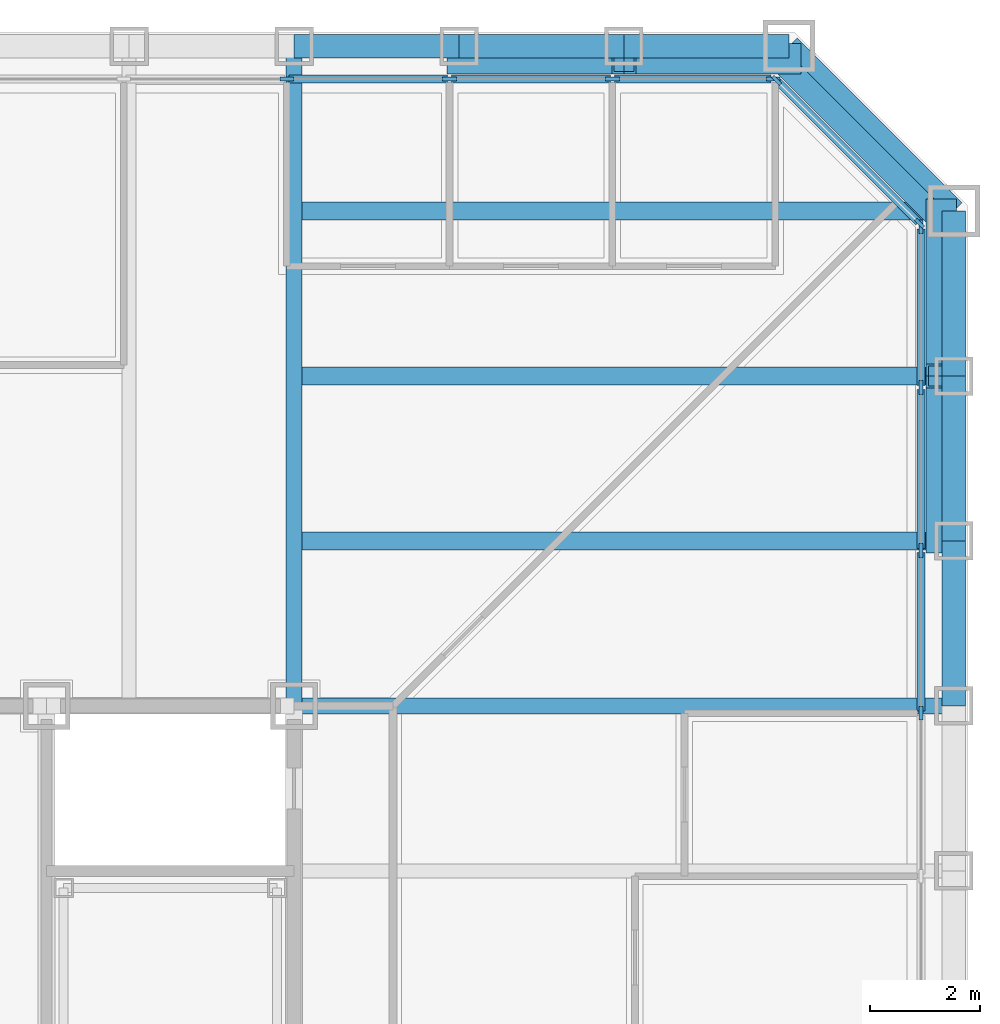
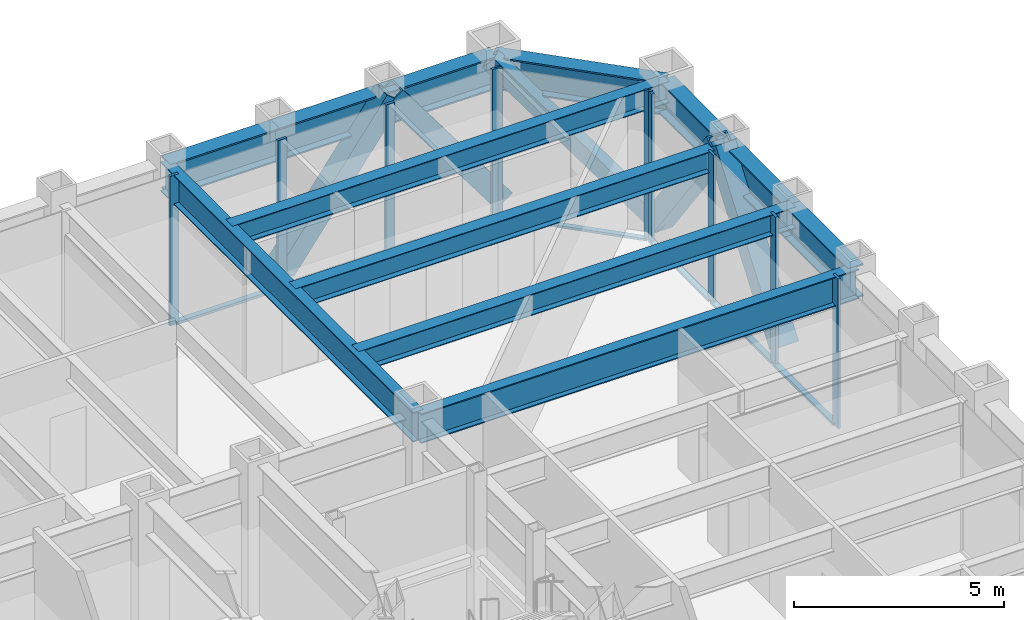
# One storey, part 6 of 17: 22 members, 12 beams, 3 elements without a shape of their own.
"""IFC4 building model written with IfcOpenShell, lengths in metres."""

from ifc_helpers import new_model, si_unit, direction, frame, origin, origin_2d, place, context, subcontext, project, spatial, rectangle, hollow_rectangle, i_section, extrude, material, layer, layer_set, material_profile, profile_set, type_object, element, aggregate, save


model = new_model("IFC4")

# Units and contexts
model_context = context("Model", 3, precision=1e-05, world=origin(), true_north=direction((0.0, 1.0)))
body_context = subcontext(model_context, "Body", "Model", "MODEL_VIEW")
ifc_project = project(units=[si_unit("LENGTHUNIT", "METRE"), si_unit("AREAUNIT", "SQUARE_METRE"), si_unit("VOLUMEUNIT", "CUBIC_METRE"), si_unit("PLANEANGLEUNIT", "RADIAN"), si_unit("MASSUNIT", "GRAM", prefix="KILO")], contexts=[model_context])

# Site, building, storey
site_placement = place(None, origin())
site = spatial("IfcSite", under=ifc_project, at=site_placement, CompositionType="ELEMENT")
building_placement = place(site_placement, origin())
building = spatial("IfcBuilding", under=site, at=building_placement, Name="Chuquiago Exchange Tower", CompositionType="ELEMENT")
storey_placement = place(building_placement, frame((0.0, 0.0, 64.800048828125)))
storey = spatial("IfcBuildingStorey", under=building, at=storey_placement, Name="L13", CompositionType="ELEMENT", Elevation=64.800048828125)

# Beams
ifc_material_1 = material(Name="Steel ASTM A992", Category="steel")
ifc_material_profile_1 = material_profile(ifc_material_1, i_section(OverallWidth=0.3251953125, OverallDepth=0.6171875, WebThickness=0.013916015625, FlangeThickness=0.021484375, at=origin_2d()), Name="W24X117")
ifc_profile_set_1 = profile_set([ifc_material_profile_1], Name="Steel ASTM A992")
beam_type_1 = type_object("IfcBeamType", Name="B5 W24X117", PredefinedType="BEAM", material=ifc_profile_set_1)
for number, where, z_axis, x_axis, name in (
    (1, (33.0, 36.0, 3.7314453125), (1.0, 0.0, 0.0), (0.0, 1.0, 0.0), "FB-L14-corner-33_36-45_36-0"),
    (2, (33.0, 39.0, 3.7314453125), (1.0, 0.0, 0.0), (0.0, 1.0, 0.0), "FB-L14-corner-33_39-45_39-0"),
    (3, (33.0, 42.0, 3.7314453125), (1.0, 0.0, 0.0), (0.0, 1.0, 0.0), "FB-L14-corner-33_42-45_42-0"),
):
    element("IfcBeam", number, at=place(storey_placement, frame(where, z_axis=z_axis, x_axis=x_axis)), inside=storey, type_object=beam_type_1, Name=name, PredefinedType="BEAM", context=body_context, shape_type="SweptSolid", body=[
        extrude(i_section(OverallWidth=0.3251953125, OverallDepth=0.6171875, WebThickness=0.013916015625, FlangeThickness=0.021484375, at=origin_2d()), origin(), (0.0, 0.0, 1.0), 12.0),
    ])

# Curtain wall, members
ifc_material_2 = material(Name="Aluminium curtain wall system", Category="aluminium")
ifc_layer_1 = layer(ifc_material_2, 0.25)
ifc_layer_set_1 = layer_set([ifc_layer_1], Name="CW1 trading floor curtain wall")
curtain_wall_type_1 = type_object("IfcCurtainWallType", Name="CW1 trading floor curtain wall", PredefinedType="NOTDEFINED", material=ifc_layer_set_1)
curtain_wall_1_placement = place(storey_placement, origin())
curtain_wall_1 = element("IfcCurtainWall", 4, at=curtain_wall_1_placement, inside=storey, type_object=curtain_wall_type_1, Name="CW1 curtain wall L13", PredefinedType="NOTDEFINED")
ifc_material_3 = material(Name="Aluminium mullion, pale anodised", Category="aluminium")
ifc_material_profile_2 = material_profile(ifc_material_3, rectangle(XDim=0.074951171875, YDim=0.25, at=origin_2d()), Name="AL 75x250")
ifc_profile_set_2 = profile_set([ifc_material_profile_2], Name="Aluminium mullion, pale anodised")
member_type_1 = type_object("IfcMemberType", Name="CW1-M mullion 75x250", PredefinedType="MULLION", material=ifc_profile_set_2)
member_1_placement = place(storey_placement, frame((44.39990234375, 32.8662109375, -0.300048828125), z_axis=(0.0, 0.0, 1.0), x_axis=(-1.0, 0.0, 0.0)))
member_1 = element("IfcMember", 5, at=member_1_placement, type_object=member_type_1, Name="CW1 mullion 11", PredefinedType="MULLION", context=body_context, shape_type="SweptSolid", body=[
    extrude(rectangle(XDim=0.074951171875, YDim=0.25, at=origin_2d()), origin(), (0.0, 0.0, 1.0), 4.340087890625),
])
member_2_placement = place(storey_placement, frame((44.39990234375, 35.827880859375, -0.300048828125), z_axis=(0.0, 0.0, 1.0), x_axis=(-1.0, 0.0, 0.0)))
member_2 = element("IfcMember", 6, at=member_2_placement, type_object=member_type_1, Name="CW1 mullion 12", PredefinedType="MULLION", context=body_context, shape_type="SweptSolid", body=[
    extrude(rectangle(XDim=0.074951171875, YDim=0.25, at=origin_2d()), origin(), (0.0, 0.0, 1.0), 4.340087890625),
])
member_3_placement = place(storey_placement, frame((44.39990234375, 38.789794921875, -0.300048828125), z_axis=(0.0, 0.0, 1.0), x_axis=(-1.0, 0.0, 0.0)))
member_3 = element("IfcMember", 7, at=member_3_placement, type_object=member_type_1, Name="CW1 mullion 13", PredefinedType="MULLION", context=body_context, shape_type="SweptSolid", body=[
    extrude(rectangle(XDim=0.074951171875, YDim=0.25, at=origin_2d()), origin(), (0.0, 0.0, 1.0), 4.340087890625),
])
member_4_placement = place(storey_placement, frame((44.39990234375, 41.714111328125, -0.300048828125), z_axis=(0.0, 0.0, 1.0), x_axis=(-1.0, 0.0, 0.0)))
member_4 = element("IfcMember", 8, at=member_4_placement, type_object=member_type_1, Name="CW1 mullion 14", PredefinedType="MULLION", context=body_context, shape_type="SweptSolid", body=[
    extrude(rectangle(XDim=0.074951171875, YDim=0.25, at=origin_2d()), origin(), (0.0, 0.0, 1.0), 4.340087890625),
])

curtain_wall_2_placement = place(storey_placement, origin())
curtain_wall_2 = element("IfcCurtainWall", 9, at=curtain_wall_2_placement, inside=storey, type_object=curtain_wall_type_1, Name="CW1 curtain wall L13", PredefinedType="NOTDEFINED")
member_5_placement = place(storey_placement, frame((41.714111328125, 44.39990234375, -0.300048828125), z_axis=(0.0, 0.0, 1.0), x_axis=(0.0, -1.0, 0.0)))
member_5 = element("IfcMember", 10, at=member_5_placement, type_object=member_type_1, Name="CW1 mullion 1", PredefinedType="MULLION", context=body_context, shape_type="SweptSolid", body=[
    extrude(rectangle(XDim=0.074951171875, YDim=0.25, at=origin_2d()), origin(), (0.0, 0.0, 1.0), 4.340087890625),
])
member_6_placement = place(storey_placement, frame((38.789794921875, 44.39990234375, -0.300048828125), z_axis=(0.0, 0.0, 1.0), x_axis=(0.0, -1.0, 0.0)))
member_6 = element("IfcMember", 11, at=member_6_placement, type_object=member_type_1, Name="CW1 mullion 2", PredefinedType="MULLION", context=body_context, shape_type="SweptSolid", body=[
    extrude(rectangle(XDim=0.074951171875, YDim=0.25, at=origin_2d()), origin(), (0.0, 0.0, 1.0), 4.340087890625),
])
member_7_placement = place(storey_placement, frame((35.827880859375, 44.39990234375, -0.300048828125), z_axis=(0.0, 0.0, 1.0), x_axis=(0.0, -1.0, 0.0)))
member_7 = element("IfcMember", 12, at=member_7_placement, type_object=member_type_1, Name="CW1 mullion 3", PredefinedType="MULLION", context=body_context, shape_type="SweptSolid", body=[
    extrude(rectangle(XDim=0.074951171875, YDim=0.25, at=origin_2d()), origin(), (0.0, 0.0, 1.0), 4.340087890625),
])
member_8_placement = place(storey_placement, frame((32.8662109375, 44.39990234375, -0.300048828125), z_axis=(0.0, 0.0, 1.0), x_axis=(0.0, -1.0, 0.0)))
member_8 = element("IfcMember", 13, at=member_8_placement, type_object=member_type_1, Name="CW1 mullion 4", PredefinedType="MULLION", context=body_context, shape_type="SweptSolid", body=[
    extrude(rectangle(XDim=0.074951171875, YDim=0.25, at=origin_2d()), origin(), (0.0, 0.0, 1.0), 4.340087890625),
])

# Member
ifc_material_4 = material(Name="Aluminium transom, pale anodised", Category="aluminium")
ifc_material_profile_3 = material_profile(ifc_material_4, rectangle(XDim=0.14990234375, YDim=0.074951171875, at=origin_2d()), Name="AL 150x75")
ifc_profile_set_3 = profile_set([ifc_material_profile_3], Name="Aluminium transom, pale anodised")
member_type_2 = type_object("IfcMemberType", Name="CW1-T transom 75x150", PredefinedType="MULLION", material=ifc_profile_set_3)
member_9_placement = place(storey_placement, frame((44.39990234375, 32.90380859375, -0.262451171875), z_axis=(0.0, 1.0, 0.0), x_axis=(-1.0, 0.0, 0.0)))
member_9 = element("IfcMember", 14, at=member_9_placement, type_object=member_type_2, Name="CW1 transom 11.1", PredefinedType="MULLION", context=body_context, shape_type="SweptSolid", body=[
    extrude(rectangle(XDim=0.14990234375, YDim=0.074951171875, at=origin_2d()), origin(), (0.0, 0.0, 1.0), 2.88671875),
])

member_10_placement = place(storey_placement, frame((44.39990234375, 35.865478515625, -0.262451171875), z_axis=(0.0, 1.0, 0.0), x_axis=(-1.0, 0.0, 0.0)))
member_10 = element("IfcMember", 15, at=member_10_placement, type_object=member_type_2, Name="CW1 transom 12.1", PredefinedType="MULLION", context=body_context, shape_type="SweptSolid", body=[
    extrude(rectangle(XDim=0.14990234375, YDim=0.074951171875, at=origin_2d()), origin(), (0.0, 0.0, 1.0), 2.88671875),
])

member_11_placement = place(storey_placement, frame((44.39990234375, 38.8271484375, -0.262451171875), z_axis=(0.0, 1.0, 0.0), x_axis=(-1.0, 0.0, 0.0)))
member_11 = element("IfcMember", 16, at=member_11_placement, type_object=member_type_2, Name="CW1 transom 13.1", PredefinedType="MULLION", context=body_context, shape_type="SweptSolid", body=[
    extrude(rectangle(XDim=0.14990234375, YDim=0.074951171875, at=origin_2d()), origin(), (0.0, 0.0, 1.0), 2.849365234375),
])

aggregate(curtain_wall_1, [member_1, member_2, member_3, member_4, member_9, member_10, member_11])

member_12_placement = place(storey_placement, frame((41.676513671875, 44.39990234375, -0.262451171875), z_axis=(-1.0, 0.0, 0.0), x_axis=(0.0, -1.0, 0.0)))
member_12 = element("IfcMember", 17, at=member_12_placement, type_object=member_type_2, Name="CW1 transom 1.1", PredefinedType="MULLION", context=body_context, shape_type="SweptSolid", body=[
    extrude(rectangle(XDim=0.14990234375, YDim=0.074951171875, at=origin_2d()), origin(), (0.0, 0.0, 1.0), 2.849365234375),
])

member_13_placement = place(storey_placement, frame((38.752197265625, 44.39990234375, -0.262451171875), z_axis=(-1.0, 0.0, 0.0), x_axis=(0.0, -1.0, 0.0)))
member_13 = element("IfcMember", 18, at=member_13_placement, type_object=member_type_2, Name="CW1 transom 2.1", PredefinedType="MULLION", context=body_context, shape_type="SweptSolid", body=[
    extrude(rectangle(XDim=0.14990234375, YDim=0.074951171875, at=origin_2d()), origin(), (0.0, 0.0, 1.0), 2.88671875),
])

member_14_placement = place(storey_placement, frame((35.79052734375, 44.39990234375, -0.262451171875), z_axis=(-1.0, 0.0, 0.0), x_axis=(0.0, -1.0, 0.0)))
member_14 = element("IfcMember", 19, at=member_14_placement, type_object=member_type_2, Name="CW1 transom 3.1", PredefinedType="MULLION", context=body_context, shape_type="SweptSolid", body=[
    extrude(rectangle(XDim=0.14990234375, YDim=0.074951171875, at=origin_2d()), origin(), (0.0, 0.0, 1.0), 2.88671875),
])

aggregate(curtain_wall_2, [member_5, member_6, member_7, member_8, member_12, member_13, member_14])

# Curtain wall, members
ifc_material_5 = material(Name="Aluminium curtain wall system", Category="aluminium")
ifc_layer_2 = layer(ifc_material_5, 0.199951171875)
ifc_layer_set_2 = layer_set([ifc_layer_2], Name="CW3 facet curtain wall")
curtain_wall_type_2 = type_object("IfcCurtainWallType", Name="CW3 facet curtain wall", PredefinedType="NOTDEFINED", material=ifc_layer_set_2)
curtain_wall_3_placement = place(storey_placement, origin())
curtain_wall_3 = element("IfcCurtainWall", 20, at=curtain_wall_3_placement, inside=storey, type_object=curtain_wall_type_2, Name="CW3 curtain wall L13", PredefinedType="NOTDEFINED")
ifc_material_6 = material(Name="Aluminium mullion, pale anodised", Category="aluminium")
ifc_material_profile_4 = material_profile(ifc_material_6, rectangle(XDim=0.06494140625, YDim=0.199951171875, at=origin_2d()), Name="AL 65x200")
ifc_profile_set_4 = profile_set([ifc_material_profile_4], Name="Aluminium mullion, pale anodised")
member_type_3 = type_object("IfcMemberType", Name="CW3-M mullion 65x200", PredefinedType="MULLION", material=ifc_profile_set_4)
member_15_placement = place(storey_placement, frame((44.376953125, 41.7744140625, -0.300048828125), z_axis=(0.0, 0.0, 1.0), x_axis=(-0.707106781187, -0.707106781187, 0.0)))
member_15 = element("IfcMember", 21, at=member_15_placement, type_object=member_type_3, Name="CW3 mullion 1", PredefinedType="MULLION", context=body_context, shape_type="SweptSolid", body=[
    extrude(rectangle(XDim=0.06494140625, YDim=0.199951171875, at=origin_2d()), origin(), (0.0, 0.0, 1.0), 4.340087890625),
])
member_16_placement = place(storey_placement, frame((41.7744140625, 44.376953125, -0.300048828125), z_axis=(0.0, 0.0, 1.0), x_axis=(-0.707106781187, -0.707106781187, 0.0)))
member_16 = element("IfcMember", 22, at=member_16_placement, type_object=member_type_3, Name="CW3 mullion 2", PredefinedType="MULLION", context=body_context, shape_type="SweptSolid", body=[
    extrude(rectangle(XDim=0.06494140625, YDim=0.199951171875, at=origin_2d()), origin(), (0.0, 0.0, 1.0), 4.340087890625),
])
ifc_material_7 = material(Name="Aluminium transom, pale anodised", Category="aluminium")
ifc_material_profile_5 = material_profile(ifc_material_7, rectangle(XDim=0.139892578125, YDim=0.06494140625, at=origin_2d()), Name="AL 140x65")
ifc_profile_set_5 = profile_set([ifc_material_profile_5], Name="Aluminium transom, pale anodised")
member_type_4 = type_object("IfcMemberType", Name="CW3-T transom 65x140", PredefinedType="MULLION", material=ifc_profile_set_5)
member_17_placement = place(storey_placement, frame((44.35400390625, 41.79736328125, -0.267578125), z_axis=(-0.707106781187, 0.707106781187, 0.0), x_axis=(-0.707106781187, -0.707106781187, 0.0)))
member_17 = element("IfcMember", 23, at=member_17_placement, type_object=member_type_4, Name="CW3 transom 1.1", PredefinedType="MULLION", context=body_context, shape_type="SweptSolid", body=[
    extrude(rectangle(XDim=0.139892578125, YDim=0.06494140625, at=origin_2d()), origin(), (0.0, 0.0, 1.0), 3.61572265625),
])
aggregate(curtain_wall_3, [member_15, member_16, member_17])

# Beams
ifc_material_8 = material(Name="Steel ASTM A992", Category="steel")
ifc_material_profile_6 = material_profile(ifc_material_8, i_section(OverallWidth=0.2919921875, OverallDepth=0.8583984375, WebThickness=0.01708984375, FlangeThickness=0.031005859375, at=origin_2d()), Name="W33X169")
ifc_profile_set_6 = profile_set([ifc_material_profile_6], Name="Steel ASTM A992")
beam_type_2 = type_object("IfcBeamType", Name="G2 W33X169", PredefinedType="BEAM", material=ifc_profile_set_6)
for number, where, z_axis, x_axis, name in (
    (24, (33.0, 33.0, 3.610595703125), (0.0, 1.0, 0.0), (-1.0, 0.0, 0.0), "FB-L14-girder-33_33-33_45-0"),
    (25, (33.0, 33.0, 3.610595703125), (1.0, 0.0, 0.0), (0.0, 1.0, 0.0), "FB-L14-girder-33_33-45_33-0"),
):
    element("IfcBeam", number, at=place(storey_placement, frame(where, z_axis=z_axis, x_axis=x_axis)), inside=storey, type_object=beam_type_2, Name=name, PredefinedType="BEAM", context=body_context, shape_type="SweptSolid", body=[
        extrude(i_section(OverallWidth=0.2919921875, OverallDepth=0.8583984375, WebThickness=0.01708984375, FlangeThickness=0.031005859375, at=origin_2d()), origin(), (0.0, 0.0, 1.0), 12.0),
    ])

# Members
ifc_material_9 = material(Name="Steel ASTM A500 Grade C", Category="steel")
ifc_material_profile_7 = material_profile(ifc_material_9, hollow_rectangle(XDim=0.406494140625, YDim=0.406494140625, WallThickness=0.0146484375, at=origin_2d()), Name="HSS16X16X5/8")
ifc_profile_set_7 = profile_set([ifc_material_profile_7], Name="Steel ASTM A500 Grade C")
member_type_5 = type_object("IfcMemberType", Name="LB4 HSS16X16X5/8", PredefinedType="BRACE", material=ifc_profile_set_7)
member_18_placement = place(storey_placement, frame((44.78662109375, 41.78662109375, 0.0), z_axis=(-0.512077265487, 0.512077265487, 0.689604051861), x_axis=(-0.707106781187, -0.707106781187, 0.0)))
element("IfcMember", 26, at=member_18_placement, inside=storey, type_object=member_type_5, Name="LB-L13-45_42-42_45", PredefinedType="BRACE", context=body_context, shape_type="SweptSolid", body=[
    extrude(hollow_rectangle(XDim=0.406494140625, YDim=0.406494140625, WallThickness=0.0146484375, at=origin_2d()), origin(), (0.0, 0.0, 1.0), 5.8583984375),
])
ifc_material_10 = material(Name="Steel ASTM A572 Grade 50", Category="steel")
ifc_material_profile_8 = material_profile(ifc_material_10, hollow_rectangle(XDim=0.550048828125, YDim=0.550048828125, WallThickness=0.044921875, at=origin_2d()), Name="BOX550X550X45")
ifc_profile_set_8 = profile_set([ifc_material_profile_8], Name="Steel ASTM A572 Grade 50")
member_type_6 = type_object("IfcMemberType", Name="MB1 BOX550X550X45", PredefinedType="BRACE", material=ifc_profile_set_8)
for number, where, z_axis, x_axis, name in (
    (27, (44.77001953125, 36.0, 0.0), (0.0, 0.596173923302, 0.802855312728), (-1.0, 0.0, 0.0), "Mega diagonal L13 E face"),
    (28, (44.77001953125, 42.0, 0.0), (0.0, -0.596173923302, 0.802855312728), (1.0, 0.0, 0.0), "Mega diagonal L13 E face"),
    (29, (42.0, 44.77001953125, 0.0), (-0.596173923302, 0.0, 0.802855312728), (0.0, -1.0, 0.0), "Mega diagonal L13 N face"),
    (30, (36.0, 44.77001953125, 0.0), (0.596173923302, 0.0, 0.802855312728), (0.0, 1.0, 0.0), "Mega diagonal L13 N face"),
):
    element("IfcMember", number, at=place(storey_placement, frame(where, z_axis=z_axis, x_axis=x_axis)), inside=storey, type_object=member_type_6, Name=name, PredefinedType="BRACE", context=body_context, shape_type="SweptSolid", body=[
        extrude(hollow_rectangle(XDim=0.550048828125, YDim=0.550048828125, WallThickness=0.044921875, at=origin_2d()), origin(), (0.0, 0.0, 1.0), 5.031982421875),
    ])

# Beams
ifc_material_11 = material(Name="Steel ASTM A992", Category="steel")
ifc_material_profile_9 = material_profile(ifc_material_11, i_section(OverallWidth=0.424072265625, OverallDepth=0.947509765625, WebThickness=0.02392578125, FlangeThickness=0.042724609375, at=origin_2d()), Name="W36X302")
ifc_profile_set_9 = profile_set([ifc_material_profile_9], Name="Steel ASTM A992")
beam_type_3 = type_object("IfcBeamType", Name="SP1 W36X302", PredefinedType="SPANDREL", material=ifc_profile_set_9)
for number, where, z_axis, x_axis, name in (
    (31, (45.0, 33.0, 3.566162109375), (0.0, 1.0, 0.0), (-1.0, 0.0, 0.0), "SPB-L14-45_33-45_36"),
    (32, (45.0, 36.0, 3.566162109375), (0.0, 1.0, 0.0), (-1.0, 0.0, 0.0), "SPB-L14-45_36-45_39"),
    (33, (45.0, 39.0, 3.566162109375), (0.0, 1.0, 0.0), (-1.0, 0.0, 0.0), "SPB-L14-45_39-45_42"),
):
    element("IfcBeam", number, at=place(storey_placement, frame(where, z_axis=z_axis, x_axis=x_axis)), inside=storey, type_object=beam_type_3, Name=name, PredefinedType="SPANDREL", context=body_context, shape_type="SweptSolid", body=[
        extrude(i_section(OverallWidth=0.424072265625, OverallDepth=0.947509765625, WebThickness=0.02392578125, FlangeThickness=0.042724609375, at=origin_2d()), origin(), (0.0, 0.0, 1.0), 3.0),
    ])
beam_placement = place(storey_placement, frame((45.0, 42.0, 3.566162109375), z_axis=(-0.707106781187, 0.707106781187, 0.0), x_axis=(-0.707106781187, -0.707106781187, 0.0)))
element("IfcBeam", 34, at=beam_placement, inside=storey, type_object=beam_type_3, Name="SPB-L14-45_42-42_45", PredefinedType="SPANDREL", context=body_context, shape_type="SweptSolid", body=[
    extrude(i_section(OverallWidth=0.424072265625, OverallDepth=0.947509765625, WebThickness=0.02392578125, FlangeThickness=0.042724609375, at=origin_2d()), origin(), (0.0, 0.0, 1.0), 4.24267578125),
])
for number, where, z_axis, x_axis, name in (
    (35, (42.0, 45.0, 3.566162109375), (-1.0, 0.0, 0.0), (0.0, -1.0, 0.0), "SPB-L14-42_45-39_45"),
    (36, (39.0, 45.0, 3.566162109375), (-1.0, 0.0, 0.0), (0.0, -1.0, 0.0), "SPB-L14-39_45-36_45"),
    (37, (36.0, 45.0, 3.566162109375), (-1.0, 0.0, 0.0), (0.0, -1.0, 0.0), "SPB-L14-36_45-33_45"),
):
    element("IfcBeam", number, at=place(storey_placement, frame(where, z_axis=z_axis, x_axis=x_axis)), inside=storey, type_object=beam_type_3, Name=name, PredefinedType="SPANDREL", context=body_context, shape_type="SweptSolid", body=[
        extrude(i_section(OverallWidth=0.424072265625, OverallDepth=0.947509765625, WebThickness=0.02392578125, FlangeThickness=0.042724609375, at=origin_2d()), origin(), (0.0, 0.0, 1.0), 3.0),
    ])

save(model, "model.ifc")
